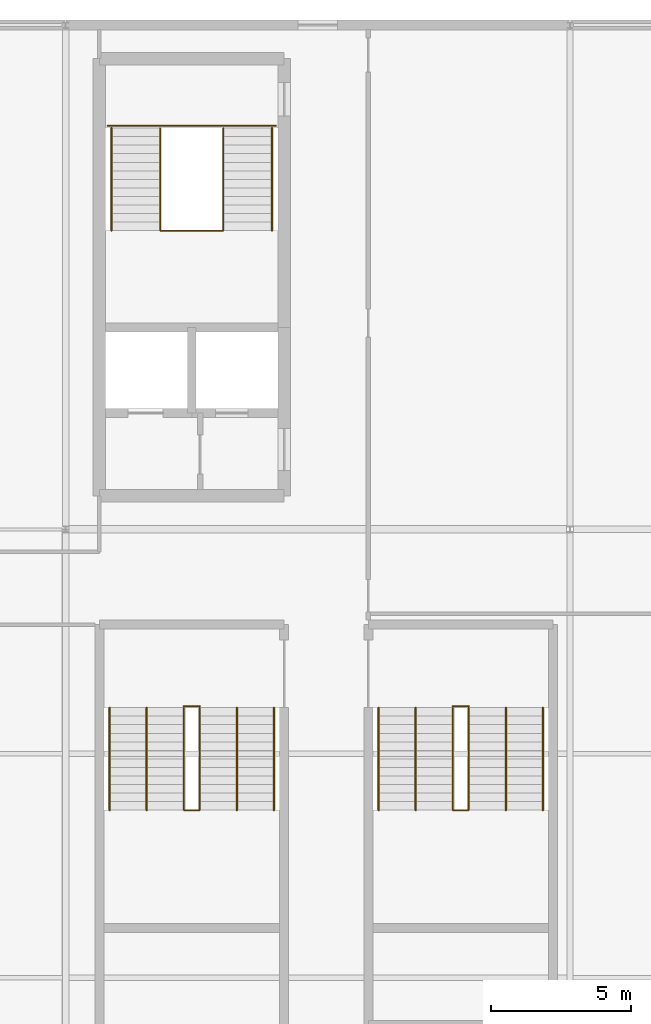
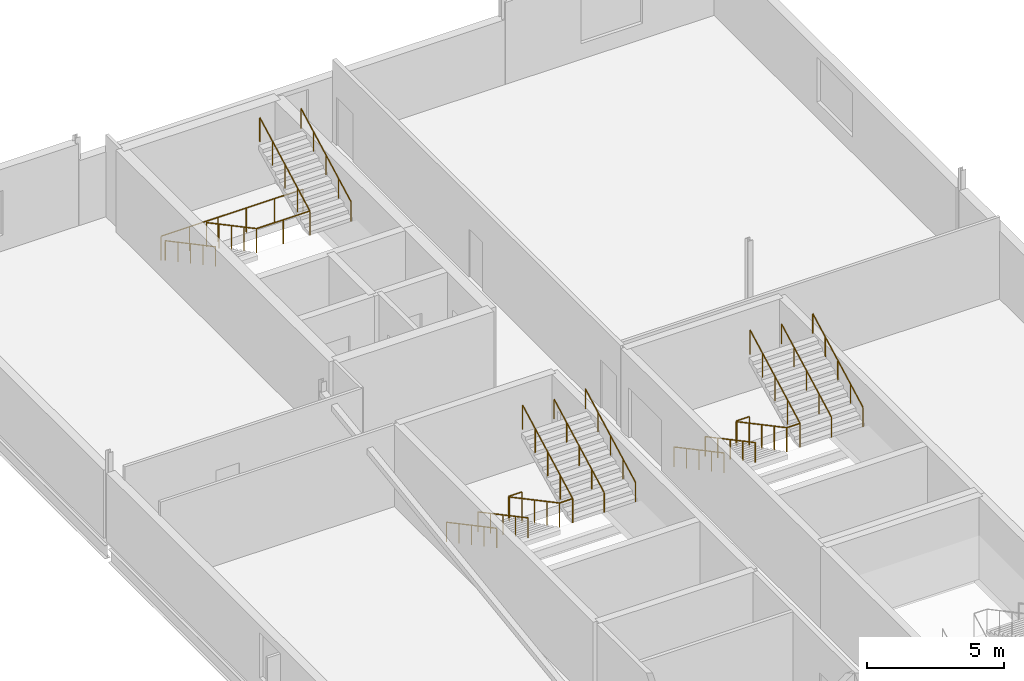
# One storey, part 32 of 35: 16 railings.
"""IFC4 building model written with IfcOpenShell, lengths in metres."""

from ifc_helpers import new_model, si_unit, direction, frame, origin, origin_2d, place, context, subcontext, project, spatial, circle, extrude, material, type_object, element, save


model = new_model("IFC4")

# Units and contexts
model_context = context("Model", 3, precision=1e-05, world=origin(), true_north=direction((0.0, 1.0)))
body_context = subcontext(model_context, "Body", "Model", "MODEL_VIEW")
ifc_project = project(units=[si_unit("LENGTHUNIT", "METRE"), si_unit("AREAUNIT", "SQUARE_METRE"), si_unit("VOLUMEUNIT", "CUBIC_METRE"), si_unit("PLANEANGLEUNIT", "RADIAN"), si_unit("MASSUNIT", "GRAM", prefix="KILO")], contexts=[model_context])

# Site, building, storey
site_placement = place(None, origin())
site = spatial("IfcSite", under=ifc_project, at=site_placement, CompositionType="ELEMENT")
building_placement = place(site_placement, origin())
building = spatial("IfcBuilding", under=site, at=building_placement, Name="Kisiwana Market Hall", CompositionType="ELEMENT")
storey_placement = place(building_placement, frame((0.0, 0.0, 57.89990234375)))
storey = spatial("IfcBuildingStorey", under=building, at=storey_placement, Name="L13", CompositionType="ELEMENT", Elevation=57.89990234375)

# Railings
ifc_material_1 = material(Name="Steel S275", Category="steel")
railing_type_1 = type_object("IfcRailingType", Name="RL-GUARD-1100", PredefinedType="GUARDRAIL", material=ifc_material_1)
railing_1_placement = place(storey_placement, frame((12.375, 98.325439453125, 0.0)))
element("IfcRailing", 1, at=railing_1_placement, inside=storey, type_object=railing_type_1, Name="Stair ST-W1-L13 inner-well guardrail (RL-1515)", PredefinedType="GUARDRAIL", context=body_context, shape_type="SweptSolid", body=[
    extrude(circle(Radius=0.02392578125, at=origin_2d()), frame((0.0, 0.0, 1.076171875), z_axis=(0.0, -0.882528880096, 0.470258201201), x_axis=(1.0, 0.0, 0.0)), (0.0, 0.0, 1.0), 4.14697265625),
    extrude(circle(Radius=0.02392578125, at=origin_2d()), frame((0.0, -3.659912109375, 3.0263671875), z_axis=(1.0, 0.0, 0.0), x_axis=(0.0, 1.0, 0.0)), (0.0, 0.0, 1.0), 2.25),
    extrude(circle(Radius=0.02392578125, at=origin_2d()), frame((2.25, -3.659912109375, 3.0263671875), z_axis=(0.0, 0.88255331184, 0.47021234752), x_axis=(-1.0, 0.0, 0.0)), (0.0, 0.0, 1.0), 4.14697265625),
    extrude(circle(Radius=0.02099609375, at=origin_2d()), origin(), (0.0, 0.0, 1.0), 1.052001953125),
    extrude(circle(Radius=0.02099609375, at=origin_2d()), frame((0.0, -0.9150390625, 0.487548828125)), (0.0, 0.0, 1.0), 1.052001953125),
    extrude(circle(Radius=0.02099609375, at=origin_2d()), frame((0.0, -1.830078125, 0.97509765625)), (0.0, 0.0, 1.0), 1.052001953125),
    extrude(circle(Radius=0.02099609375, at=origin_2d()), frame((0.0, -2.744873046875, 1.462646484375)), (0.0, 0.0, 1.0), 1.052001953125),
    extrude(circle(Radius=0.02099609375, at=origin_2d()), frame((0.0, -3.659912109375, 1.9501953125)), (0.0, 0.0, 1.0), 1.052001953125),
    extrude(circle(Radius=0.02099609375, at=origin_2d()), frame((1.125, -3.659912109375, 1.9501953125)), (0.0, 0.0, 1.0), 1.052001953125),
    extrude(circle(Radius=0.02099609375, at=origin_2d()), frame((2.25, -3.659912109375, 1.9501953125)), (0.0, 0.0, 1.0), 1.052001953125),
    extrude(circle(Radius=0.02099609375, at=origin_2d()), frame((2.25, -2.744873046875, 2.437744140625)), (0.0, 0.0, 1.0), 1.052001953125),
    extrude(circle(Radius=0.02099609375, at=origin_2d()), frame((2.25, -1.830078125, 2.92529296875)), (0.0, 0.0, 1.0), 1.052001953125),
    extrude(circle(Radius=0.02099609375, at=origin_2d()), frame((2.25, -0.9150390625, 3.41259765625)), (0.0, 0.0, 1.0), 1.052001953125),
    extrude(circle(Radius=0.02099609375, at=origin_2d()), frame((2.25, 0.0, 3.900146484375)), (0.0, 0.0, 1.0), 1.052001953125),
])
railing_2_placement = place(storey_placement, frame((10.5048828125, 98.405517578125, 0.0)))
element("IfcRailing", 2, at=railing_2_placement, inside=storey, type_object=railing_type_1, Name="Stair ST-W1-L13 landing edge guardrail (RL-1518)", PredefinedType="GUARDRAIL", context=body_context, shape_type="SweptSolid", body=[
    extrude(circle(Radius=0.02392578125, at=origin_2d()), frame((0.0, 0.0, 1.076171875), z_axis=(1.0, 0.0, 0.0), x_axis=(0.0, 1.0, 0.0)), (0.0, 0.0, 1.0), 5.990234375),
    extrude(circle(Radius=0.02099609375, at=origin_2d()), origin(), (0.0, 0.0, 1.0), 1.052001953125),
    extrude(circle(Radius=0.02099609375, at=origin_2d()), frame((1.197998046875, 0.0, 0.0)), (0.0, 0.0, 1.0), 1.052001953125),
    extrude(circle(Radius=0.02099609375, at=origin_2d()), frame((2.39599609375, 0.0, 0.0)), (0.0, 0.0, 1.0), 1.052001953125),
    extrude(circle(Radius=0.02099609375, at=origin_2d()), frame((3.59423828125, 0.0, 0.0)), (0.0, 0.0, 1.0), 1.052001953125),
    extrude(circle(Radius=0.02099609375, at=origin_2d()), frame((4.792236328125, 0.0, 0.0)), (0.0, 0.0, 1.0), 1.052001953125),
    extrude(circle(Radius=0.02099609375, at=origin_2d()), frame((5.990234375, 0.0, 0.0)), (0.0, 0.0, 1.0), 1.052001953125),
])
railing_3_placement = place(storey_placement, frame((13.219970703125, 77.639892578125, 0.0)))
element("IfcRailing", 3, at=railing_3_placement, inside=storey, type_object=railing_type_1, Name="Stair ST-W4-L13 inner-well guardrail (RL-1533)", PredefinedType="GUARDRAIL", context=body_context, shape_type="SweptSolid", body=[
    extrude(circle(Radius=0.02392578125, at=origin_2d()), frame((0.0, 0.0, 1.076171875), z_axis=(0.0, -0.882528880096, 0.470258201201), x_axis=(1.0, 0.0, 0.0)), (0.0, 0.0, 1.0), 4.14697265625),
    extrude(circle(Radius=0.02392578125, at=origin_2d()), frame((0.0, -3.659912109375, 3.0263671875), z_axis=(1.0, 0.0, 0.0), x_axis=(0.0, 1.0, 0.0)), (0.0, 0.0, 1.0), 0.56005859375),
    extrude(circle(Radius=0.02392578125, at=origin_2d()), frame((0.56005859375, -3.659912109375, 3.0263671875), z_axis=(0.0, 0.88255331184, 0.47021234752), x_axis=(-1.0, 0.0, 0.0)), (0.0, 0.0, 1.0), 4.14697265625),
    extrude(circle(Radius=0.02099609375, at=origin_2d()), origin(), (0.0, 0.0, 1.0), 1.052001953125),
    extrude(circle(Radius=0.02099609375, at=origin_2d()), frame((0.0, -0.9150390625, 0.487548828125)), (0.0, 0.0, 1.0), 1.052001953125),
    extrude(circle(Radius=0.02099609375, at=origin_2d()), frame((0.0, -1.830078125, 0.97509765625)), (0.0, 0.0, 1.0), 1.052001953125),
    extrude(circle(Radius=0.02099609375, at=origin_2d()), frame((0.0, -2.744873046875, 1.462646484375)), (0.0, 0.0, 1.0), 1.052001953125),
    extrude(circle(Radius=0.02099609375, at=origin_2d()), frame((0.0, -3.659912109375, 1.9501953125)), (0.0, 0.0, 1.0), 1.052001953125),
    extrude(circle(Radius=0.02099609375, at=origin_2d()), frame((0.56005859375, -3.659912109375, 1.9501953125)), (0.0, 0.0, 1.0), 1.052001953125),
    extrude(circle(Radius=0.02099609375, at=origin_2d()), frame((0.56005859375, -2.744873046875, 2.437744140625)), (0.0, 0.0, 1.0), 1.052001953125),
    extrude(circle(Radius=0.02099609375, at=origin_2d()), frame((0.56005859375, -1.830078125, 2.92529296875)), (0.0, 0.0, 1.0), 1.052001953125),
    extrude(circle(Radius=0.02099609375, at=origin_2d()), frame((0.56005859375, -0.9150390625, 3.41259765625)), (0.0, 0.0, 1.0), 1.052001953125),
    extrude(circle(Radius=0.02099609375, at=origin_2d()), frame((0.56005859375, 0.0, 3.900146484375)), (0.0, 0.0, 1.0), 1.052001953125),
])
railing_4_placement = place(storey_placement, frame((13.219970703125, 77.68994140625, 0.0)))
element("IfcRailing", 4, at=railing_4_placement, inside=storey, type_object=railing_type_1, Name="Stair ST-W4-L13 landing edge guardrail (RL-1538)", PredefinedType="GUARDRAIL", context=body_context, shape_type="SweptSolid", body=[
    extrude(circle(Radius=0.02392578125, at=origin_2d()), frame((0.0, 0.0, 1.076171875), z_axis=(1.0, 0.0, 0.0), x_axis=(0.0, 1.0, 0.0)), (0.0, 0.0, 1.0), 0.56005859375),
    extrude(circle(Radius=0.02099609375, at=origin_2d()), origin(), (0.0, 0.0, 1.0), 1.052001953125),
    extrude(circle(Radius=0.02099609375, at=origin_2d()), frame((0.56005859375, 0.0, 0.0)), (0.0, 0.0, 1.0), 1.052001953125),
])
railing_5_placement = place(storey_placement, frame((22.820068359375, 77.639892578125, 0.0)))
element("IfcRailing", 5, at=railing_5_placement, inside=storey, type_object=railing_type_1, Name="Stair ST-W8-L13 inner-well guardrail (RL-1563)", PredefinedType="GUARDRAIL", context=body_context, shape_type="SweptSolid", body=[
    extrude(circle(Radius=0.02392578125, at=origin_2d()), frame((0.0, 0.0, 1.076171875), z_axis=(0.0, -0.882528880096, 0.470258201201), x_axis=(1.0, 0.0, 0.0)), (0.0, 0.0, 1.0), 4.14697265625),
    extrude(circle(Radius=0.02392578125, at=origin_2d()), frame((0.0, -3.659912109375, 3.0263671875), z_axis=(1.0, 0.0, 0.0), x_axis=(0.0, 1.0, 0.0)), (0.0, 0.0, 1.0), 0.559814453125),
    extrude(circle(Radius=0.02392578125, at=origin_2d()), frame((0.559814453125, -3.659912109375, 3.0263671875), z_axis=(0.0, 0.88255331184, 0.47021234752), x_axis=(-1.0, 0.0, 0.0)), (0.0, 0.0, 1.0), 4.14697265625),
    extrude(circle(Radius=0.02099609375, at=origin_2d()), origin(), (0.0, 0.0, 1.0), 1.052001953125),
    extrude(circle(Radius=0.02099609375, at=origin_2d()), frame((0.0, -0.9150390625, 0.487548828125)), (0.0, 0.0, 1.0), 1.052001953125),
    extrude(circle(Radius=0.02099609375, at=origin_2d()), frame((0.0, -1.830078125, 0.97509765625)), (0.0, 0.0, 1.0), 1.052001953125),
    extrude(circle(Radius=0.02099609375, at=origin_2d()), frame((0.0, -2.744873046875, 1.462646484375)), (0.0, 0.0, 1.0), 1.052001953125),
    extrude(circle(Radius=0.02099609375, at=origin_2d()), frame((0.0, -3.659912109375, 1.9501953125)), (0.0, 0.0, 1.0), 1.052001953125),
    extrude(circle(Radius=0.02099609375, at=origin_2d()), frame((0.559814453125, -3.659912109375, 1.9501953125)), (0.0, 0.0, 1.0), 1.052001953125),
    extrude(circle(Radius=0.02099609375, at=origin_2d()), frame((0.559814453125, -2.744873046875, 2.437744140625)), (0.0, 0.0, 1.0), 1.052001953125),
    extrude(circle(Radius=0.02099609375, at=origin_2d()), frame((0.559814453125, -1.830078125, 2.92529296875)), (0.0, 0.0, 1.0), 1.052001953125),
    extrude(circle(Radius=0.02099609375, at=origin_2d()), frame((0.559814453125, -0.9150390625, 3.41259765625)), (0.0, 0.0, 1.0), 1.052001953125),
    extrude(circle(Radius=0.02099609375, at=origin_2d()), frame((0.559814453125, 0.0, 3.900146484375)), (0.0, 0.0, 1.0), 1.052001953125),
])
railing_6_placement = place(storey_placement, frame((22.820068359375, 77.68994140625, 0.0)))
element("IfcRailing", 6, at=railing_6_placement, inside=storey, type_object=railing_type_1, Name="Stair ST-W8-L13 landing edge guardrail (RL-1568)", PredefinedType="GUARDRAIL", context=body_context, shape_type="SweptSolid", body=[
    extrude(circle(Radius=0.02392578125, at=origin_2d()), frame((0.0, 0.0, 1.076171875), z_axis=(1.0, 0.0, 0.0), x_axis=(0.0, 1.0, 0.0)), (0.0, 0.0, 1.0), 0.559814453125),
    extrude(circle(Radius=0.02099609375, at=origin_2d()), origin(), (0.0, 0.0, 1.0), 1.052001953125),
    extrude(circle(Radius=0.02099609375, at=origin_2d()), frame((0.559814453125, 0.0, 0.0)), (0.0, 0.0, 1.0), 1.052001953125),
])
ifc_material_2 = material(Name="Steel S275", Category="steel")
railing_type_2 = type_object("IfcRailingType", Name="RL-HAND-900", PredefinedType="HANDRAIL", material=ifc_material_2)
railing_7_placement = place(storey_placement, frame((10.635009765625, 98.325439453125, 0.0)))
element("IfcRailing", 7, at=railing_7_placement, inside=storey, type_object=railing_type_2, Name="Stair ST-W1-L13 flight 1 handrail (RL-1516)", PredefinedType="HANDRAIL", context=body_context, shape_type="SweptSolid", body=[
    extrude(circle(Radius=0.02392578125, at=origin_2d()), frame((0.0, 0.0, 0.8759765625), z_axis=(0.0, -0.882528880096, 0.470258201201), x_axis=(1.0, 0.0, 0.0)), (0.0, 0.0, 1.0), 4.14697265625),
    extrude(circle(Radius=0.02099609375, at=origin_2d()), origin(), (0.0, 0.0, 1.0), 0.851806640625),
    extrude(circle(Radius=0.02099609375, at=origin_2d()), frame((0.0, -0.9150390625, 0.487548828125)), (0.0, 0.0, 1.0), 0.851806640625),
    extrude(circle(Radius=0.02099609375, at=origin_2d()), frame((0.0, -1.830078125, 0.97509765625)), (0.0, 0.0, 1.0), 0.851806640625),
    extrude(circle(Radius=0.02099609375, at=origin_2d()), frame((0.0, -2.744873046875, 1.462646484375)), (0.0, 0.0, 1.0), 0.851806640625),
    extrude(circle(Radius=0.02099609375, at=origin_2d()), frame((0.0, -3.659912109375, 1.9501953125)), (0.0, 0.0, 1.0), 0.851806640625),
])
railing_8_placement = place(storey_placement, frame((16.364990234375, 94.66552734375, 1.9501953125)))
element("IfcRailing", 8, at=railing_8_placement, inside=storey, type_object=railing_type_2, Name="Stair ST-W1-L13 flight 2 handrail (RL-1517)", PredefinedType="HANDRAIL", context=body_context, shape_type="SweptSolid", body=[
    extrude(circle(Radius=0.02392578125, at=origin_2d()), frame((0.0, 0.0, 0.8759765625), z_axis=(0.0, 0.88255331184, 0.47021234752), x_axis=(-1.0, 0.0, 0.0)), (0.0, 0.0, 1.0), 4.14697265625),
    extrude(circle(Radius=0.02099609375, at=origin_2d()), origin(), (0.0, 0.0, 1.0), 0.851806640625),
    extrude(circle(Radius=0.02099609375, at=origin_2d()), frame((0.0, 0.9150390625, 0.487548828125)), (0.0, 0.0, 1.0), 0.851806640625),
    extrude(circle(Radius=0.02099609375, at=origin_2d()), frame((0.0, 1.830078125, 0.97509765625)), (0.0, 0.0, 1.0), 0.851806640625),
    extrude(circle(Radius=0.02099609375, at=origin_2d()), frame((0.0, 2.744873046875, 1.46240234375)), (0.0, 0.0, 1.0), 0.851806640625),
    extrude(circle(Radius=0.02099609375, at=origin_2d()), frame((0.0, 3.659912109375, 1.949951171875)), (0.0, 0.0, 1.0), 0.851806640625),
])
railing_9_placement = place(storey_placement, frame((10.570068359375, 77.639892578125, 0.0)))
element("IfcRailing", 9, at=railing_9_placement, inside=storey, type_object=railing_type_2, Name="Stair ST-W4-L13 flight 1 handrail (RL-1534)", PredefinedType="HANDRAIL", context=body_context, shape_type="SweptSolid", body=[
    extrude(circle(Radius=0.02392578125, at=origin_2d()), frame((0.0, 0.0, 0.8759765625), z_axis=(0.0, -0.882528880096, 0.470258201201), x_axis=(1.0, 0.0, 0.0)), (0.0, 0.0, 1.0), 4.14697265625),
    extrude(circle(Radius=0.02099609375, at=origin_2d()), origin(), (0.0, 0.0, 1.0), 0.851806640625),
    extrude(circle(Radius=0.02099609375, at=origin_2d()), frame((0.0, -0.9150390625, 0.487548828125)), (0.0, 0.0, 1.0), 0.851806640625),
    extrude(circle(Radius=0.02099609375, at=origin_2d()), frame((0.0, -1.830078125, 0.97509765625)), (0.0, 0.0, 1.0), 0.851806640625),
    extrude(circle(Radius=0.02099609375, at=origin_2d()), frame((0.0, -2.744873046875, 1.462646484375)), (0.0, 0.0, 1.0), 0.851806640625),
    extrude(circle(Radius=0.02099609375, at=origin_2d()), frame((0.0, -3.659912109375, 1.9501953125)), (0.0, 0.0, 1.0), 0.851806640625),
])
railing_10_placement = place(storey_placement, frame((16.429931640625, 73.97998046875, 1.9501953125)))
element("IfcRailing", 10, at=railing_10_placement, inside=storey, type_object=railing_type_2, Name="Stair ST-W4-L13 flight 2 handrail (RL-1535)", PredefinedType="HANDRAIL", context=body_context, shape_type="SweptSolid", body=[
    extrude(circle(Radius=0.02392578125, at=origin_2d()), frame((0.0, 0.0, 0.8759765625), z_axis=(0.0, 0.88255331184, 0.47021234752), x_axis=(-1.0, 0.0, 0.0)), (0.0, 0.0, 1.0), 4.14697265625),
    extrude(circle(Radius=0.02099609375, at=origin_2d()), origin(), (0.0, 0.0, 1.0), 0.851806640625),
    extrude(circle(Radius=0.02099609375, at=origin_2d()), frame((0.0, 0.9150390625, 0.487548828125)), (0.0, 0.0, 1.0), 0.851806640625),
    extrude(circle(Radius=0.02099609375, at=origin_2d()), frame((0.0, 1.830078125, 0.97509765625)), (0.0, 0.0, 1.0), 0.851806640625),
    extrude(circle(Radius=0.02099609375, at=origin_2d()), frame((0.0, 2.744873046875, 1.46240234375)), (0.0, 0.0, 1.0), 0.851806640625),
    extrude(circle(Radius=0.02099609375, at=origin_2d()), frame((0.0, 3.659912109375, 1.949951171875)), (0.0, 0.0, 1.0), 0.851806640625),
])
railing_11_placement = place(storey_placement, frame((11.889892578125, 77.639892578125, 0.0)))
element("IfcRailing", 11, at=railing_11_placement, inside=storey, type_object=railing_type_2, Name="Stair ST-W4-L13 flight 1 intermediate handrail (RL-1536)", PredefinedType="HANDRAIL", context=body_context, shape_type="SweptSolid", body=[
    extrude(circle(Radius=0.02392578125, at=origin_2d()), frame((0.0, 0.0, 0.8759765625), z_axis=(0.0, -0.882528880096, 0.470258201201), x_axis=(1.0, 0.0, 0.0)), (0.0, 0.0, 1.0), 4.14697265625),
    extrude(circle(Radius=0.02099609375, at=origin_2d()), origin(), (0.0, 0.0, 1.0), 0.851806640625),
    extrude(circle(Radius=0.02099609375, at=origin_2d()), frame((0.0, -0.9150390625, 0.487548828125)), (0.0, 0.0, 1.0), 0.851806640625),
    extrude(circle(Radius=0.02099609375, at=origin_2d()), frame((0.0, -1.830078125, 0.97509765625)), (0.0, 0.0, 1.0), 0.851806640625),
    extrude(circle(Radius=0.02099609375, at=origin_2d()), frame((0.0, -2.744873046875, 1.462646484375)), (0.0, 0.0, 1.0), 0.851806640625),
    extrude(circle(Radius=0.02099609375, at=origin_2d()), frame((0.0, -3.659912109375, 1.9501953125)), (0.0, 0.0, 1.0), 0.851806640625),
])
railing_12_placement = place(storey_placement, frame((15.110107421875, 73.97998046875, 1.9501953125)))
element("IfcRailing", 12, at=railing_12_placement, inside=storey, type_object=railing_type_2, Name="Stair ST-W4-L13 flight 2 intermediate handrail (RL-1537)", PredefinedType="HANDRAIL", context=body_context, shape_type="SweptSolid", body=[
    extrude(circle(Radius=0.02392578125, at=origin_2d()), frame((0.0, 0.0, 0.8759765625), z_axis=(0.0, 0.88255331184, 0.47021234752), x_axis=(-1.0, 0.0, 0.0)), (0.0, 0.0, 1.0), 4.14697265625),
    extrude(circle(Radius=0.02099609375, at=origin_2d()), origin(), (0.0, 0.0, 1.0), 0.851806640625),
    extrude(circle(Radius=0.02099609375, at=origin_2d()), frame((0.0, 0.9150390625, 0.487548828125)), (0.0, 0.0, 1.0), 0.851806640625),
    extrude(circle(Radius=0.02099609375, at=origin_2d()), frame((0.0, 1.830078125, 0.97509765625)), (0.0, 0.0, 1.0), 0.851806640625),
    extrude(circle(Radius=0.02099609375, at=origin_2d()), frame((0.0, 2.744873046875, 1.46240234375)), (0.0, 0.0, 1.0), 0.851806640625),
    extrude(circle(Radius=0.02099609375, at=origin_2d()), frame((0.0, 3.659912109375, 1.949951171875)), (0.0, 0.0, 1.0), 0.851806640625),
])
railing_13_placement = place(storey_placement, frame((20.169921875, 77.639892578125, 0.0)))
element("IfcRailing", 13, at=railing_13_placement, inside=storey, type_object=railing_type_2, Name="Stair ST-W8-L13 flight 1 handrail (RL-1564)", PredefinedType="HANDRAIL", context=body_context, shape_type="SweptSolid", body=[
    extrude(circle(Radius=0.02392578125, at=origin_2d()), frame((0.0, 0.0, 0.8759765625), z_axis=(0.0, -0.882528880096, 0.470258201201), x_axis=(1.0, 0.0, 0.0)), (0.0, 0.0, 1.0), 4.14697265625),
    extrude(circle(Radius=0.02099609375, at=origin_2d()), origin(), (0.0, 0.0, 1.0), 0.851806640625),
    extrude(circle(Radius=0.02099609375, at=origin_2d()), frame((0.0, -0.9150390625, 0.487548828125)), (0.0, 0.0, 1.0), 0.851806640625),
    extrude(circle(Radius=0.02099609375, at=origin_2d()), frame((0.0, -1.830078125, 0.97509765625)), (0.0, 0.0, 1.0), 0.851806640625),
    extrude(circle(Radius=0.02099609375, at=origin_2d()), frame((0.0, -2.744873046875, 1.462646484375)), (0.0, 0.0, 1.0), 0.851806640625),
    extrude(circle(Radius=0.02099609375, at=origin_2d()), frame((0.0, -3.659912109375, 1.9501953125)), (0.0, 0.0, 1.0), 0.851806640625),
])
railing_14_placement = place(storey_placement, frame((26.030029296875, 73.97998046875, 1.9501953125)))
element("IfcRailing", 14, at=railing_14_placement, inside=storey, type_object=railing_type_2, Name="Stair ST-W8-L13 flight 2 handrail (RL-1565)", PredefinedType="HANDRAIL", context=body_context, shape_type="SweptSolid", body=[
    extrude(circle(Radius=0.02392578125, at=origin_2d()), frame((0.0, 0.0, 0.8759765625), z_axis=(0.0, 0.88255331184, 0.47021234752), x_axis=(-1.0, 0.0, 0.0)), (0.0, 0.0, 1.0), 4.14697265625),
    extrude(circle(Radius=0.02099609375, at=origin_2d()), origin(), (0.0, 0.0, 1.0), 0.851806640625),
    extrude(circle(Radius=0.02099609375, at=origin_2d()), frame((0.0, 0.9150390625, 0.487548828125)), (0.0, 0.0, 1.0), 0.851806640625),
    extrude(circle(Radius=0.02099609375, at=origin_2d()), frame((0.0, 1.830078125, 0.97509765625)), (0.0, 0.0, 1.0), 0.851806640625),
    extrude(circle(Radius=0.02099609375, at=origin_2d()), frame((0.0, 2.744873046875, 1.46240234375)), (0.0, 0.0, 1.0), 0.851806640625),
    extrude(circle(Radius=0.02099609375, at=origin_2d()), frame((0.0, 3.659912109375, 1.949951171875)), (0.0, 0.0, 1.0), 0.851806640625),
])
railing_15_placement = place(storey_placement, frame((21.489990234375, 77.639892578125, 0.0)))
element("IfcRailing", 15, at=railing_15_placement, inside=storey, type_object=railing_type_2, Name="Stair ST-W8-L13 flight 1 intermediate handrail (RL-1566)", PredefinedType="HANDRAIL", context=body_context, shape_type="SweptSolid", body=[
    extrude(circle(Radius=0.02392578125, at=origin_2d()), frame((0.0, 0.0, 0.8759765625), z_axis=(0.0, -0.882528880096, 0.470258201201), x_axis=(1.0, 0.0, 0.0)), (0.0, 0.0, 1.0), 4.14697265625),
    extrude(circle(Radius=0.02099609375, at=origin_2d()), origin(), (0.0, 0.0, 1.0), 0.851806640625),
    extrude(circle(Radius=0.02099609375, at=origin_2d()), frame((0.0, -0.9150390625, 0.487548828125)), (0.0, 0.0, 1.0), 0.851806640625),
    extrude(circle(Radius=0.02099609375, at=origin_2d()), frame((0.0, -1.830078125, 0.97509765625)), (0.0, 0.0, 1.0), 0.851806640625),
    extrude(circle(Radius=0.02099609375, at=origin_2d()), frame((0.0, -2.744873046875, 1.462646484375)), (0.0, 0.0, 1.0), 0.851806640625),
    extrude(circle(Radius=0.02099609375, at=origin_2d()), frame((0.0, -3.659912109375, 1.9501953125)), (0.0, 0.0, 1.0), 0.851806640625),
])
railing_16_placement = place(storey_placement, frame((24.7099609375, 73.97998046875, 1.9501953125)))
element("IfcRailing", 16, at=railing_16_placement, inside=storey, type_object=railing_type_2, Name="Stair ST-W8-L13 flight 2 intermediate handrail (RL-1567)", PredefinedType="HANDRAIL", context=body_context, shape_type="SweptSolid", body=[
    extrude(circle(Radius=0.02392578125, at=origin_2d()), frame((0.0, 0.0, 0.8759765625), z_axis=(0.0, 0.88255331184, 0.47021234752), x_axis=(-1.0, 0.0, 0.0)), (0.0, 0.0, 1.0), 4.14697265625),
    extrude(circle(Radius=0.02099609375, at=origin_2d()), origin(), (0.0, 0.0, 1.0), 0.851806640625),
    extrude(circle(Radius=0.02099609375, at=origin_2d()), frame((0.0, 0.9150390625, 0.487548828125)), (0.0, 0.0, 1.0), 0.851806640625),
    extrude(circle(Radius=0.02099609375, at=origin_2d()), frame((0.0, 1.830078125, 0.97509765625)), (0.0, 0.0, 1.0), 0.851806640625),
    extrude(circle(Radius=0.02099609375, at=origin_2d()), frame((0.0, 2.744873046875, 1.46240234375)), (0.0, 0.0, 1.0), 0.851806640625),
    extrude(circle(Radius=0.02099609375, at=origin_2d()), frame((0.0, 3.659912109375, 1.949951171875)), (0.0, 0.0, 1.0), 0.851806640625),
])

save(model, "model.ifc")
